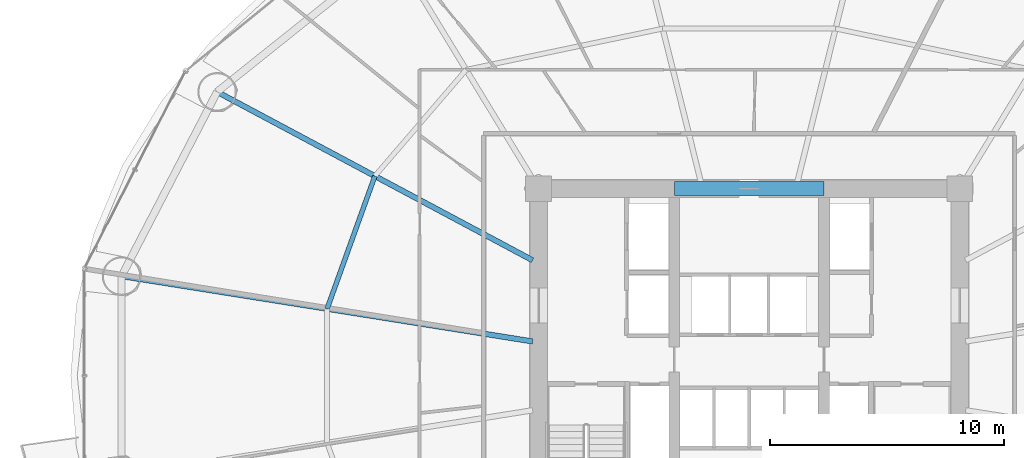
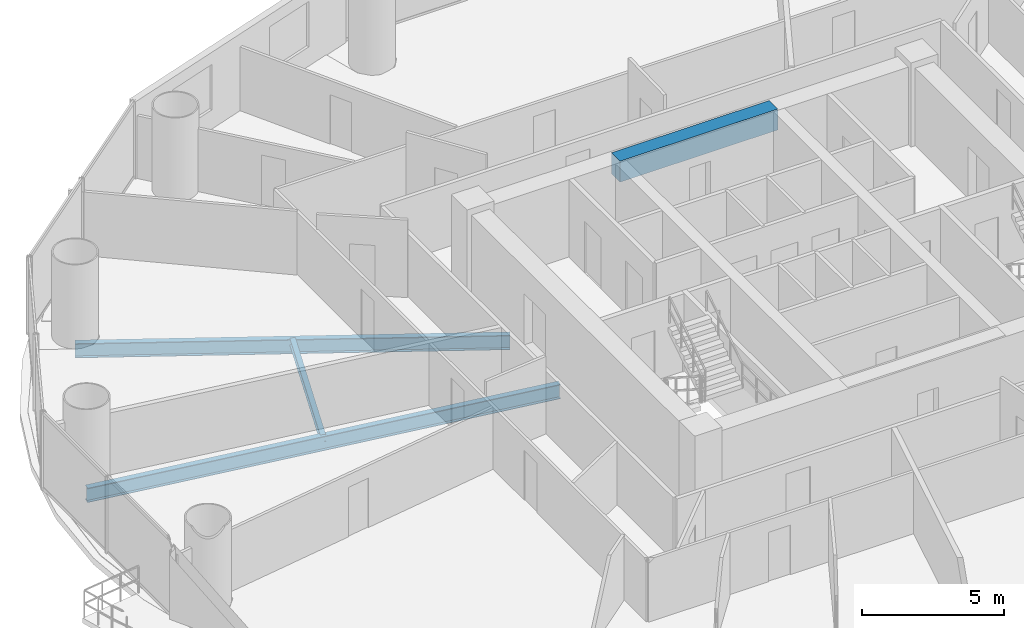
# One storey, part 9 of 30: 4 beams.
"""IFC4 building model written with IfcOpenShell, lengths in metres."""

from ifc_helpers import new_model, si_unit, direction, frame, origin, origin_2d, place, context, subcontext, project, spatial, rectangle, i_section, extrude, material, material_profile, profile_set, type_object, element, save


model = new_model("IFC4")

# Units and contexts
model_context = context("Model", 3, precision=1e-05, world=origin(), true_north=direction((-0.2419218956, 0.970295726276)))
body_context = subcontext(model_context, "Body", "Model", "MODEL_VIEW")
ifc_project = project(units=[si_unit("LENGTHUNIT", "METRE"), si_unit("AREAUNIT", "SQUARE_METRE"), si_unit("VOLUMEUNIT", "CUBIC_METRE"), si_unit("PLANEANGLEUNIT", "RADIAN"), si_unit("MASSUNIT", "GRAM", prefix="KILO")], contexts=[model_context])

# Site, building, storey
site_placement = place(None, origin())
site = spatial("IfcSite", under=ifc_project, at=site_placement, CompositionType="ELEMENT")
building_placement = place(site_placement, origin())
building = spatial("IfcBuilding", under=site, at=building_placement, Name="Cobrevalo Terracotta Tower", CompositionType="ELEMENT")
storey_placement = place(building_placement, frame((0.0, 0.0, 31.199951171875)))
storey = spatial("IfcBuildingStorey", under=building, at=storey_placement, Name="L07", CompositionType="ELEMENT", Elevation=31.199951171875)

# Beams
ifc_material_1 = material(Name="Concrete C60", Category="concrete")
ifc_material_profile_1 = material_profile(ifc_material_1, rectangle(XDim=0.60009765625, YDim=0.89990234375, at=origin_2d()), Name="RC CB 600x900")
ifc_profile_set_1 = profile_set([ifc_material_profile_1], Name="Concrete C60")
beam_type_1 = type_object("IfcBeamType", Name="Structural Beam RC CB 600x900 (Concrete C60)", PredefinedType="BEAM", material=ifc_profile_set_1)
beam_1_placement = place(storey_placement, frame((34.800048828125, 34.800048828125, 2.8701171875), z_axis=(1.0, 0.0, 0.0), x_axis=(0.0, 1.0, 0.0)))
element("IfcBeam", 1, at=beam_1_placement, inside=storey, type_object=beam_type_1, Name="L07 core coupling beam 2", PredefinedType="BEAM", context=body_context, shape_type="SweptSolid", body=[
    extrude(rectangle(XDim=0.60009765625, YDim=0.89990234375, at=origin_2d()), origin(), (0.0, 0.0, 1.0), 6.39990234375),
])
ifc_material_2 = material(Name="Steel S355", Category="steel")
ifc_material_profile_2 = material_profile(ifc_material_2, i_section(OverallWidth=0.22998046875, OverallDepth=0.616943359375, WebThickness=0.01318359375, FlangeThickness=0.022216796875, at=origin_2d()), Name="W 610x140")
ifc_profile_set_2 = profile_set([ifc_material_profile_2], Name="Steel S355")
beam_type_2 = type_object("IfcBeamType", Name="Structural Beam W 610x140 (Steel S355)", PredefinedType="BEAM", material=ifc_profile_set_2)
beam_2_placement = place(storey_placement, frame((15.25927734375, 38.939208984375, -0.58837890625), z_axis=(0.88218223571, -0.470908168329, 0.0), x_axis=(0.470908168329, 0.88218223571, 0.0)))
element("IfcBeam", 2, at=beam_2_placement, inside=storey, type_object=beam_type_2, Name="L07 radial floor girder 07", PredefinedType="BEAM", context=body_context, shape_type="SweptSolid", body=[
    extrude(i_section(OverallWidth=0.22998046875, OverallDepth=0.616943359375, WebThickness=0.01318359375, FlangeThickness=0.022216796875, at=origin_2d()), origin(), (0.0, 0.0, 1.0), 15.286865234375),
])
beam_3_placement = place(storey_placement, frame((11.175537109375, 31.062744140625, -0.58837890625), z_axis=(0.987607924622, -0.156941349628, 0.0), x_axis=(0.156941349628, 0.987607924622, 0.0)))
element("IfcBeam", 3, at=beam_3_placement, inside=storey, type_object=beam_type_2, Name="L07 radial floor girder 08", PredefinedType="BEAM", context=body_context, shape_type="SweptSolid", body=[
    extrude(i_section(OverallWidth=0.22998046875, OverallDepth=0.616943359375, WebThickness=0.01318359375, FlangeThickness=0.022216796875, at=origin_2d()), origin(), (0.0, 0.0, 1.0), 17.7900390625),
])
ifc_material_profile_3 = material_profile(ifc_material_2, i_section(OverallWidth=0.2041015625, OverallDepth=0.305908203125, WebThickness=0.008544921875, FlangeThickness=0.0146484375, at=origin_2d()), Name="W 310x67")
ifc_profile_set_3 = profile_set([ifc_material_profile_3], Name="Steel S355")
beam_type_3 = type_object("IfcBeamType", Name="Structural Joist W 310x67 (Steel S355)", PredefinedType="JOIST", material=ifc_profile_set_3)
beam_4_placement = place(storey_placement, frame((22.002197265625, 35.33984375, -0.432861328125), z_axis=(-0.338672151116, -0.940904444701, 0.0), x_axis=(0.940904444701, -0.338672151116, 0.0)))
element("IfcBeam", 4, at=beam_4_placement, inside=storey, type_object=beam_type_3, Name="L07 circumferential secondary floor joist 07", PredefinedType="JOIST", context=body_context, shape_type="SweptSolid", body=[
    extrude(i_section(OverallWidth=0.2041015625, OverallDepth=0.305908203125, WebThickness=0.008544921875, FlangeThickness=0.0146484375, at=origin_2d()), origin(), (0.0, 0.0, 1.0), 6.029296875),
])

save(model, "model.ifc")
